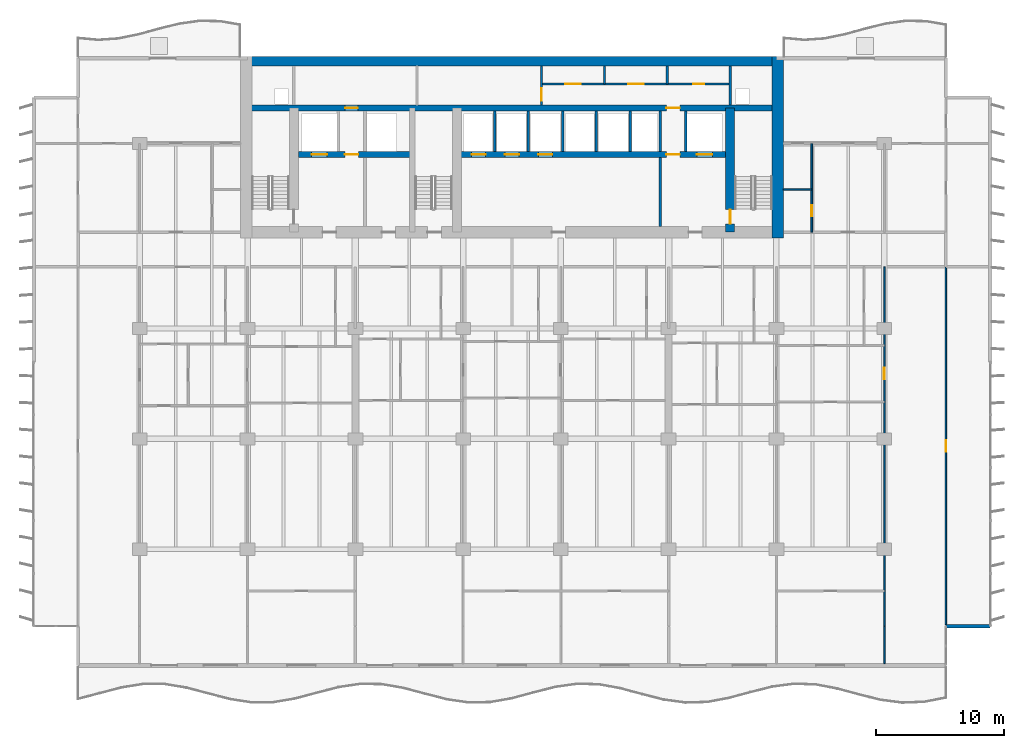
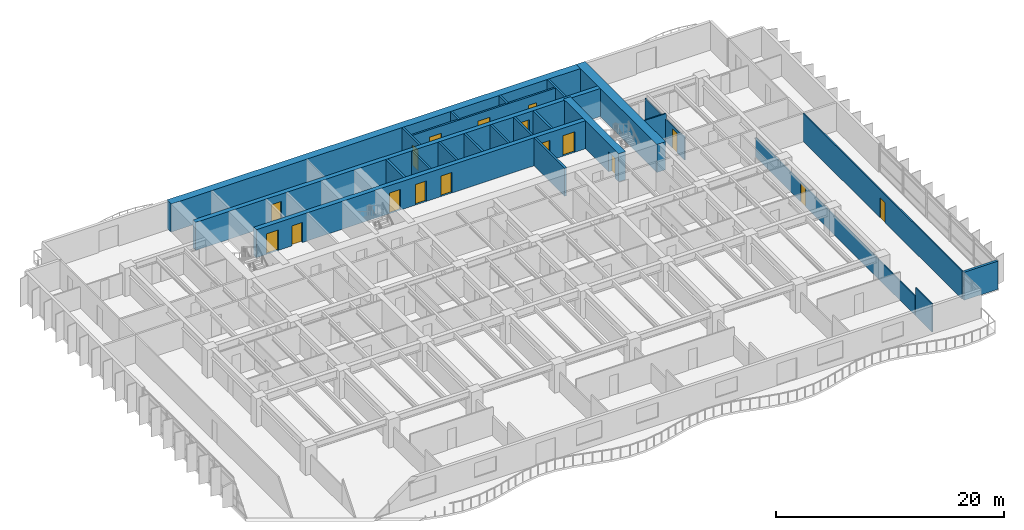
# One storey, part 10 of 15: 24 walls, 17 doors, 17 openings.
"""IFC4 building model written with IfcOpenShell, lengths in metres."""

from ifc_helpers import new_model, si_unit, direction, frame, frame_2d, origin, place, context, subcontext, project, spatial, rectangle, extrude, material, layer, layer_set, type_object, element, fill, save


model = new_model("IFC4")

# Units and contexts
model_context = context("Model", 3, precision=1e-05, world=origin(), true_north=direction((0.0, 1.0)))
body_context = subcontext(model_context, "Body", "Model", "MODEL_VIEW")
ifc_project = project(units=[si_unit("LENGTHUNIT", "METRE"), si_unit("AREAUNIT", "SQUARE_METRE"), si_unit("VOLUMEUNIT", "CUBIC_METRE"), si_unit("PLANEANGLEUNIT", "RADIAN"), si_unit("MASSUNIT", "GRAM", prefix="KILO")], contexts=[model_context])

# Site, building, storey
site_placement = place(None, origin())
site = spatial("IfcSite", under=ifc_project, at=site_placement, CompositionType="ELEMENT")
building_placement = place(site_placement, origin())
building = spatial("IfcBuilding", under=site, at=building_placement, Name="Caelmar Bay Residences", CompositionType="ELEMENT")
storey_placement = place(building_placement, frame((0.0, 0.0, 76.199951171875)))
storey = spatial("IfcBuildingStorey", under=building, at=storey_placement, Name="L20", CompositionType="ELEMENT", Elevation=76.199951171875)

# Wall, opening, door
ifc_material_1 = material(Name="Concrete f'c 55 MPa (8,000 psi)", Category="concrete")
ifc_layer_1 = layer(ifc_material_1, 0.699951171875)
ifc_layer_set_1 = layer_set([ifc_layer_1], Name="Concrete f'c 55 MPa (8,000 psi)")
wall_type_1 = type_object("IfcWallType", Name="SW-COR-700", PredefinedType="SHEAR", material=ifc_layer_set_1)
wall_1_placement = place(storey_placement, frame((55.89990234375, 36.89990234375, 0.0), z_axis=(0.0, 0.0, 1.0), x_axis=(0.0, 1.0, 0.0)))
wall_1 = element("IfcWall", 1, at=wall_1_placement, inside=storey, type_object=wall_type_1, Name="L20 Core Structural Web Wall ST2W", PredefinedType="SHEAR", context=body_context, shape_type="SweptSolid", body=[
    extrude(rectangle(XDim=9.675048828125, YDim=0.699951171875, at=frame_2d((4.83740234375, 0.0))), origin(), (0.0, 0.0, 1.0), 3.0),
])
opening_1_placement = place(wall_1_placement, frame((0.64990234375, 0.0, 0.0)))
opening_1 = element("IfcOpeningElement", 2, at=opening_1_placement, cuts=wall_1, Name="Opening D-L20-111", PredefinedType="OPENING", context=body_context, shape_type="SweptSolid", body=[
    extrude(rectangle(XDim=1.10009765625, YDim=2.14990234375, at=frame_2d((0.550048828125, 1.074951171875))), frame((0.0, 0.35986328125, 0.0), z_axis=(0.0, -1.0, 0.0), x_axis=(1.0, 0.0, 0.0)), (0.0, 0.0, 1.0), 0.719970703125),
])
ifc_material_2 = material(Name="Fire-rated steel and walnut architectural door assembly", Category="steel")
ifc_layer_2 = layer(ifc_material_2, 0.050048828125)
ifc_layer_set_2 = layer_set([ifc_layer_2], Name="Fire-rated steel and walnut architectural door assembly")
door_type_1 = type_object("IfcDoorType", Name="D-STAIR-1100", OperationType="NOTDEFINED", PredefinedType="DOOR", material=ifc_layer_set_2)
door_1_placement = place(opening_1_placement, origin())
door_1 = element("IfcDoor", 3, at=door_1_placement, inside=storey, type_object=door_type_1, Name="L20 Firefighting Lobby East Door", OperationType="SINGLE_SWING_RIGHT", OverallHeight=2.14990234375, OverallWidth=1.10009765625, PredefinedType="DOOR", context=body_context, shape_type="SweptSolid", body=[
    extrude(rectangle(XDim=1.10009765625, YDim=2.14990234375, at=frame_2d((0.550048828125, 1.074951171875))), frame((0.0, 0.02490234375, 0.0), z_axis=(0.0, -1.0, 0.0), x_axis=(1.0, 0.0, 0.0)), (0.0, 0.0, 1.0), 0.050048828125),
])
fill(opening_1, door_1)

# Walls
ifc_material_3 = material(Name="Concrete f'c 70 MPa (10,000 psi)", Category="concrete")
ifc_layer_3 = layer(ifc_material_3, 0.89990234375)
ifc_layer_set_3 = layer_set([ifc_layer_3], Name="Concrete f'c 70 MPa (10,000 psi)")
wall_type_2 = type_object("IfcWallType", Name="SW-COR-900", PredefinedType="SHEAR", material=ifc_layer_set_3)
wall_2_placement = place(storey_placement, frame((59.60009765625, 36.449951171875, 0.0), z_axis=(0.0, 0.0, 1.0), x_axis=(0.0, 1.0, 0.0)))
element("IfcWall", 4, at=wall_2_placement, inside=storey, type_object=wall_type_2, Name="L20 Rear Core East Shear Wall", PredefinedType="SHEAR", context=body_context, shape_type="SweptSolid", body=[
    extrude(rectangle(XDim=14.150146484375, YDim=0.89990234375, at=frame_2d((7.0751953125, 0.0))), origin(), (0.0, 0.0, 1.0), 3.0),
])
ifc_layer_4 = layer(ifc_material_3, 0.75)
ifc_layer_set_4 = layer_set([ifc_layer_4], Name="Concrete f'c 70 MPa (10,000 psi)")
wall_type_3 = type_object("IfcWallType", Name="SW-CORN-750", PredefinedType="SHEAR", material=ifc_layer_set_4)
wall_3_placement = place(storey_placement, frame((17.75, 50.22509765625, 0.0), z_axis=(0.0, 0.0, 1.0), x_axis=(1.0, 0.0, 0.0)))
element("IfcWall", 5, at=wall_3_placement, inside=storey, type_object=wall_type_3, Name="L20 Rear Core North Shear Wall", PredefinedType="SHEAR", context=body_context, shape_type="SweptSolid", body=[
    extrude(rectangle(XDim=42.300048828125, YDim=0.75, at=frame_2d((21.14990234375, 0.0))), origin(), (0.0, 0.0, 1.0), 3.0),
])

# Wall, openings, doors
ifc_layer_5 = layer(ifc_material_3, 0.449951171875)
ifc_layer_set_5 = layer_set([ifc_layer_5], Name="Concrete f'c 70 MPa (10,000 psi)")
wall_type_4 = type_object("IfcWallType", Name="SW-WEB-450", PredefinedType="SHEAR", material=ifc_layer_set_5)
wall_4_placement = place(storey_placement, frame((22.25, 42.949951171875, 0.0), z_axis=(0.0, 0.0, 1.0), x_axis=(1.0, 0.0, 0.0)))
wall_4 = element("IfcWall", 6, at=wall_4_placement, inside=storey, type_object=wall_type_4, Name="L20 Core Structural Web Wall LFR", PredefinedType="SHEAR", context=body_context, shape_type="SweptSolid", body=[
    extrude(rectangle(XDim=33.300048828125, YDim=0.449951171875, at=frame_2d((16.64990234375, 0.0))), origin(), (0.0, 0.0, 1.0), 3.0),
])
opening_2_placement = place(wall_4_placement, frame((1.050048828125, 0.0, 0.0)))
opening_2 = element("IfcOpeningElement", 7, at=opening_2_placement, cuts=wall_4, Name="Opening LD2", PredefinedType="OPENING", context=body_context, shape_type="SweptSolid", body=[
    extrude(rectangle(XDim=1.199951171875, YDim=2.199951171875, at=frame_2d((0.60009765625, 1.10009765625))), frame((0.0, 0.23486328125, 0.0), z_axis=(0.0, -1.0, 0.0), x_axis=(1.0, 0.0, 0.0)), (0.0, 0.0, 1.0), 0.469970703125),
])
opening_3_placement = place(wall_4_placement, frame((31.050048828125, 0.0, 0.0)))
opening_3 = element("IfcOpeningElement", 8, at=opening_3_placement, cuts=wall_4, Name="Opening LD2", PredefinedType="OPENING", context=body_context, shape_type="SweptSolid", body=[
    extrude(rectangle(XDim=1.199951171875, YDim=2.199951171875, at=frame_2d((0.60009765625, 1.10009765625))), frame((0.0, 0.23486328125, 0.0), z_axis=(0.0, -1.0, 0.0), x_axis=(1.0, 0.0, 0.0)), (0.0, 0.0, 1.0), 0.469970703125),
])
opening_4_placement = place(wall_4_placement, frame((13.5, 0.0, 0.0)))
opening_4 = element("IfcOpeningElement", 9, at=opening_4_placement, cuts=wall_4, Name="Opening LD1", PredefinedType="OPENING", context=body_context, shape_type="SweptSolid", body=[
    extrude(rectangle(XDim=1.10009765625, YDim=2.199951171875, at=frame_2d((0.550048828125, 1.10009765625))), frame((0.0, 0.23486328125, 0.0), z_axis=(0.0, -1.0, 0.0), x_axis=(1.0, 0.0, 0.0)), (0.0, 0.0, 1.0), 0.469970703125),
])
opening_5_placement = place(wall_4_placement, frame((16.10009765625, 0.0, 0.0)))
opening_5 = element("IfcOpeningElement", 10, at=opening_5_placement, cuts=wall_4, Name="Opening LD1", PredefinedType="OPENING", context=body_context, shape_type="SweptSolid", body=[
    extrude(rectangle(XDim=1.10009765625, YDim=2.199951171875, at=frame_2d((0.550048828125, 1.10009765625))), frame((0.0, 0.23486328125, 0.0), z_axis=(0.0, -1.0, 0.0), x_axis=(1.0, 0.0, 0.0)), (0.0, 0.0, 1.0), 0.469970703125),
])
opening_6_placement = place(wall_4_placement, frame((18.699951171875, 0.0, 0.0)))
opening_6 = element("IfcOpeningElement", 11, at=opening_6_placement, cuts=wall_4, Name="Opening LD1", PredefinedType="OPENING", context=body_context, shape_type="SweptSolid", body=[
    extrude(rectangle(XDim=1.10009765625, YDim=2.199951171875, at=frame_2d((0.550048828125, 1.10009765625))), frame((0.0, 0.23486328125, 0.0), z_axis=(0.0, -1.0, 0.0), x_axis=(1.0, 0.0, 0.0)), (0.0, 0.0, 1.0), 0.469970703125),
])
opening_7_placement = place(wall_4_placement, frame((3.625, 0.0, 0.0)))
opening_7 = element("IfcOpeningElement", 12, at=opening_7_placement, cuts=wall_4, Name="Opening D-L20-109", PredefinedType="OPENING", context=body_context, shape_type="SweptSolid", body=[
    extrude(rectangle(XDim=1.050048828125, YDim=2.14990234375, at=frame_2d((0.52490234375, 1.074951171875))), frame((0.0, 0.23486328125, 0.0), z_axis=(0.0, -1.0, 0.0), x_axis=(1.0, 0.0, 0.0)), (0.0, 0.0, 1.0), 0.469970703125),
])
opening_8_placement = place(wall_4_placement, frame((28.675048828125, 0.0, 0.0)))
opening_8 = element("IfcOpeningElement", 13, at=opening_8_placement, cuts=wall_4, Name="Opening D-L20-112", PredefinedType="OPENING", context=body_context, shape_type="SweptSolid", body=[
    extrude(rectangle(XDim=1.050048828125, YDim=2.14990234375, at=frame_2d((0.52490234375, 1.074951171875))), frame((0.0, 0.23486328125, 0.0), z_axis=(0.0, -1.0, 0.0), x_axis=(1.0, 0.0, 0.0)), (0.0, 0.0, 1.0), 0.469970703125),
])
ifc_layer_6 = layer(ifc_material_2, 0.050048828125)
ifc_layer_set_6 = layer_set([ifc_layer_6], Name="Fire-rated steel and walnut architectural door assembly")
door_type_2 = type_object("IfcDoorType", Name="D-FSAE-1050", OperationType="NOTDEFINED", PredefinedType="DOOR", material=ifc_layer_set_6)
door_2_placement = place(opening_7_placement, origin())
door_2 = element("IfcDoor", 14, at=door_2_placement, inside=storey, type_object=door_type_2, Name="L20 Firefighting Lobby West Door", OperationType="SINGLE_SWING_RIGHT", OverallHeight=2.14990234375, OverallWidth=1.050048828125, PredefinedType="DOOR", context=body_context, shape_type="SweptSolid", body=[
    extrude(rectangle(XDim=1.050048828125, YDim=2.14990234375, at=frame_2d((0.52490234375, 1.074951171875))), frame((0.0, 0.02490234375, 0.0), z_axis=(0.0, -1.0, 0.0), x_axis=(1.0, 0.0, 0.0)), (0.0, 0.0, 1.0), 0.050048828125),
])
fill(opening_7, door_2)
door_3_placement = place(opening_8_placement, origin())
door_3 = element("IfcDoor", 15, at=door_3_placement, inside=storey, type_object=door_type_2, Name="L20 Firefighting Lobby East Door", OperationType="SINGLE_SWING_LEFT", OverallHeight=2.14990234375, OverallWidth=1.050048828125, PredefinedType="DOOR", context=body_context, shape_type="SweptSolid", body=[
    extrude(rectangle(XDim=1.050048828125, YDim=2.14990234375, at=frame_2d((0.52490234375, 1.074951171875))), frame((0.0, 0.02490234375, 0.0), z_axis=(0.0, -1.0, 0.0), x_axis=(1.0, 0.0, 0.0)), (0.0, 0.0, 1.0), 0.050048828125),
])
fill(opening_8, door_3)
ifc_material_4 = material(Name="Brushed bronze stainless-steel fire-rated lift landing doors", Category="steel")
ifc_layer_7 = layer(ifc_material_4, 0.050048828125)
ifc_layer_set_7 = layer_set([ifc_layer_7], Name="Brushed bronze stainless-steel fire-rated lift landing doors")
door_type_3 = type_object("IfcDoorType", Name="D-LND-1100", OperationType="DOUBLE_DOOR_SLIDING", PredefinedType="DOOR", material=ifc_layer_set_7)
door_4_placement = place(opening_4_placement, origin())
door_4 = element("IfcDoor", 16, at=door_4_placement, inside=storey, type_object=door_type_3, Name="L20 LP1 Sliding Landing Door", OperationType="DOUBLE_DOOR_SLIDING", OverallHeight=2.199951171875, OverallWidth=1.10009765625, PredefinedType="DOOR", context=body_context, shape_type="SweptSolid", body=[
    extrude(rectangle(XDim=1.10009765625, YDim=2.199951171875, at=frame_2d((0.550048828125, 1.10009765625))), frame((0.0, 0.02490234375, 0.0), z_axis=(0.0, -1.0, 0.0), x_axis=(1.0, 0.0, 0.0)), (0.0, 0.0, 1.0), 0.050048828125),
])
fill(opening_4, door_4)
door_5_placement = place(opening_5_placement, origin())
door_5 = element("IfcDoor", 17, at=door_5_placement, inside=storey, type_object=door_type_3, Name="L20 LP2 Sliding Landing Door", OperationType="DOUBLE_DOOR_SLIDING", OverallHeight=2.199951171875, OverallWidth=1.10009765625, PredefinedType="DOOR", context=body_context, shape_type="SweptSolid", body=[
    extrude(rectangle(XDim=1.10009765625, YDim=2.199951171875, at=frame_2d((0.550048828125, 1.10009765625))), frame((0.0, 0.02490234375, 0.0), z_axis=(0.0, -1.0, 0.0), x_axis=(1.0, 0.0, 0.0)), (0.0, 0.0, 1.0), 0.050048828125),
])
fill(opening_5, door_5)
door_6_placement = place(opening_6_placement, origin())
door_6 = element("IfcDoor", 18, at=door_6_placement, inside=storey, type_object=door_type_3, Name="L20 LP3 Sliding Landing Door", OperationType="DOUBLE_DOOR_SLIDING", OverallHeight=2.199951171875, OverallWidth=1.10009765625, PredefinedType="DOOR", context=body_context, shape_type="SweptSolid", body=[
    extrude(rectangle(XDim=1.10009765625, YDim=2.199951171875, at=frame_2d((0.550048828125, 1.10009765625))), frame((0.0, 0.02490234375, 0.0), z_axis=(0.0, -1.0, 0.0), x_axis=(1.0, 0.0, 0.0)), (0.0, 0.0, 1.0), 0.050048828125),
])
fill(opening_6, door_6)
ifc_material_5 = material(Name="Brushed stainless-steel FSAE sliding landing door", Category="steel")
ifc_layer_8 = layer(ifc_material_5, 0.050048828125)
ifc_layer_set_8 = layer_set([ifc_layer_8], Name="Brushed stainless-steel FSAE sliding landing door")
door_type_4 = type_object("IfcDoorType", Name="D-LND-1200", OperationType="DOUBLE_DOOR_SLIDING", PredefinedType="DOOR", material=ifc_layer_set_8)
door_7_placement = place(opening_2_placement, origin())
door_7 = element("IfcDoor", 19, at=door_7_placement, inside=storey, type_object=door_type_4, Name="L20 LF1 Sliding Landing Door", OperationType="DOUBLE_DOOR_SLIDING", OverallHeight=2.199951171875, OverallWidth=1.199951171875, PredefinedType="DOOR", context=body_context, shape_type="SweptSolid", body=[
    extrude(rectangle(XDim=1.199951171875, YDim=2.199951171875, at=frame_2d((0.60009765625, 1.10009765625))), frame((0.0, 0.02490234375, 0.0), z_axis=(0.0, -1.0, 0.0), x_axis=(1.0, 0.0, 0.0)), (0.0, 0.0, 1.0), 0.050048828125),
])
fill(opening_2, door_7)
door_8_placement = place(opening_3_placement, origin())
door_8 = element("IfcDoor", 20, at=door_8_placement, inside=storey, type_object=door_type_4, Name="L20 LF2 Sliding Landing Door", OperationType="DOUBLE_DOOR_SLIDING", OverallHeight=2.199951171875, OverallWidth=1.199951171875, PredefinedType="DOOR", context=body_context, shape_type="SweptSolid", body=[
    extrude(rectangle(XDim=1.199951171875, YDim=2.199951171875, at=frame_2d((0.60009765625, 1.10009765625))), frame((0.0, 0.02490234375, 0.0), z_axis=(0.0, -1.0, 0.0), x_axis=(1.0, 0.0, 0.0)), (0.0, 0.0, 1.0), 0.050048828125),
])
fill(opening_3, door_8)

wall_5_placement = place(storey_placement, frame((18.199951171875, 46.574951171875, 0.0), z_axis=(0.0, 0.0, 1.0), x_axis=(1.0, 0.0, 0.0)))
wall_5 = element("IfcWall", 21, at=wall_5_placement, inside=storey, type_object=wall_type_4, Name="L20 Core Structural Web Wall SRVS", PredefinedType="SHEAR", context=body_context, shape_type="SweptSolid", body=[
    extrude(rectangle(XDim=41.400146484375, YDim=0.449951171875, at=frame_2d((20.7001953125, 0.0))), origin(), (0.0, 0.0, 1.0), 3.0),
])
opening_9_placement = place(wall_5_placement, frame((7.699951171875, 0.0, 0.0)))
opening_9 = element("IfcOpeningElement", 22, at=opening_9_placement, cuts=wall_5, Name="Opening D-L20-115", PredefinedType="OPENING", context=body_context, shape_type="SweptSolid", body=[
    extrude(rectangle(XDim=1.0, YDim=2.199951171875, at=frame_2d((0.5, 1.10009765625))), frame((0.0, 0.23486328125, 0.0), z_axis=(0.0, -1.0, 0.0), x_axis=(1.0, 0.0, 0.0)), (0.0, 0.0, 1.0), 0.469970703125),
])
opening_10_placement = place(wall_5_placement, frame((32.72509765625, 0.0, 0.0)))
opening_10 = element("IfcOpeningElement", 23, at=opening_10_placement, cuts=wall_5, Name="Opening D-L20-116", PredefinedType="OPENING", context=body_context, shape_type="SweptSolid", body=[
    extrude(rectangle(XDim=1.050048828125, YDim=2.14990234375, at=frame_2d((0.52490234375, 1.074951171875))), frame((0.0, 0.23486328125, 0.0), z_axis=(0.0, -1.0, 0.0), x_axis=(1.0, 0.0, 0.0)), (0.0, 0.0, 1.0), 0.469970703125),
])
door_9_placement = place(opening_10_placement, origin())
door_9 = element("IfcDoor", 24, at=door_9_placement, inside=storey, type_object=door_type_2, Name="L20 East Core Service Corridor Door", OperationType="SINGLE_SWING_LEFT", OverallHeight=2.14990234375, OverallWidth=1.050048828125, PredefinedType="DOOR", context=body_context, shape_type="SweptSolid", body=[
    extrude(rectangle(XDim=1.050048828125, YDim=2.14990234375, at=frame_2d((0.52490234375, 1.074951171875))), frame((0.0, 0.02490234375, 0.0), z_axis=(0.0, -1.0, 0.0), x_axis=(1.0, 0.0, 0.0)), (0.0, 0.0, 1.0), 0.050048828125),
])
fill(opening_10, door_9)
ifc_layer_9 = layer(ifc_material_2, 0.050048828125)
ifc_layer_set_9 = layer_set([ifc_layer_9], Name="Fire-rated steel and walnut architectural door assembly")
door_type_5 = type_object("IfcDoorType", Name="D-UNIT-1000", OperationType="NOTDEFINED", PredefinedType="DOOR", material=ifc_layer_set_9)
door_10_placement = place(opening_9_placement, origin())
door_10 = element("IfcDoor", 25, at=door_10_placement, inside=storey, type_object=door_type_5, Name="L20 Package Concierge Office Door", OperationType="SINGLE_SWING_RIGHT", OverallHeight=2.199951171875, OverallWidth=1.0, PredefinedType="DOOR", context=body_context, shape_type="SweptSolid", body=[
    extrude(rectangle(XDim=1.0, YDim=2.199951171875, at=frame_2d((0.5, 1.10009765625))), frame((0.0, 0.02490234375, 0.0), z_axis=(0.0, -1.0, 0.0), x_axis=(1.0, 0.0, 0.0)), (0.0, 0.0, 1.0), 0.050048828125),
])
fill(opening_9, door_10)

# Wall, opening, door
ifc_material_6 = material(Name="Double-stud acoustic fire-rated gypsum partition 180 mm")
ifc_layer_10 = layer(ifc_material_6, 0.179931640625)
ifc_layer_set_10 = layer_set([ifc_layer_10], Name="Double-stud acoustic fire-rated gypsum partition 180 mm")
wall_type_5 = type_object("IfcWallType", Name="W-COR-200", PredefinedType="PARTITIONING", material=ifc_layer_set_10)
wall_6_placement = place(storey_placement, frame((41.199951171875, 46.794921875, 0.0), z_axis=(0.0, 0.0, 1.0), x_axis=(0.0, 1.0, 0.0)))
wall_6 = element("IfcWall", 26, at=wall_6_placement, inside=storey, type_object=wall_type_5, Name="L20 Partition Wall V028", PredefinedType="PARTITIONING", context=body_context, shape_type="SweptSolid", body=[
    extrude(rectangle(XDim=3.06005859375, YDim=0.179931640625, at=frame_2d((1.530029296875, 0.0))), origin(), (0.0, 0.0, 1.0), 3.0),
])
opening_11_placement = place(wall_6_placement, frame((0.327392578125, 0.0, 0.0)))
opening_11 = element("IfcOpeningElement", 27, at=opening_11_placement, cuts=wall_6, Name="Opening D-L20-117", PredefinedType="OPENING", context=body_context, shape_type="SweptSolid", body=[
    extrude(rectangle(XDim=1.0, YDim=2.199951171875, at=frame_2d((0.5, 1.10009765625))), frame((0.0, 0.099853515625, 0.0), z_axis=(0.0, -1.0, 0.0), x_axis=(1.0, 0.0, 0.0)), (0.0, 0.0, 1.0), 0.199951171875),
])
door_11_placement = place(opening_11_placement, origin())
door_11 = element("IfcDoor", 28, at=door_11_placement, inside=storey, type_object=door_type_5, Name="L20 Engineering Control Office Door", OperationType="SINGLE_SWING_RIGHT", OverallHeight=2.199951171875, OverallWidth=1.0, PredefinedType="DOOR", context=body_context, shape_type="SweptSolid", body=[
    extrude(rectangle(XDim=1.0, YDim=2.199951171875, at=frame_2d((0.5, 1.10009765625))), frame((0.0, 0.02490234375, 0.0), z_axis=(0.0, -1.0, 0.0), x_axis=(1.0, 0.0, 0.0)), (0.0, 0.0, 1.0), 0.050048828125),
])
fill(opening_11, door_11)

# Walls
for number, where, z_axis, x_axis, name in (
    (29, (46.10009765625, 48.449951171875, 0.0), (0.0, 0.0, 1.0), (0.0, 1.0, 0.0), "L20 Partition Wall V033"),
    (30, (51.0, 48.449951171875, 0.0), (0.0, 0.0, 1.0), (0.0, 1.0, 0.0), "L20 Partition Wall V038"),
):
    element("IfcWall", number, at=place(storey_placement, frame(where, z_axis=z_axis, x_axis=x_axis)), inside=storey, type_object=wall_type_5, Name=name, PredefinedType="PARTITIONING", context=body_context, shape_type="SweptSolid", body=[
        extrude(rectangle(XDim=1.405029296875, YDim=0.179931640625, at=frame_2d((0.70263671875, 0.0))), origin(), (0.0, 0.0, 1.0), 3.0),
    ])

# Wall, openings, doors
wall_7_placement = place(storey_placement, frame((41.199951171875, 48.449951171875, 0.0), z_axis=(0.0, 0.0, 1.0), x_axis=(1.0, 0.0, 0.0)))
wall_7 = element("IfcWall", 31, at=wall_7_placement, inside=storey, type_object=wall_type_5, Name="L20 Partition Wall H082", PredefinedType="PARTITIONING", context=body_context, shape_type="SweptSolid", body=[
    extrude(rectangle(XDim=14.699951171875, YDim=0.179931640625, at=frame_2d((7.35009765625, 0.0))), origin(), (0.0, 0.0, 1.0), 3.0),
])
opening_12_placement = place(wall_7_placement, frame((1.85009765625, 0.0, 0.0)))
opening_12 = element("IfcOpeningElement", 32, at=opening_12_placement, cuts=wall_7, Name="Opening D-L20-118", PredefinedType="OPENING", context=body_context, shape_type="SweptSolid", body=[
    extrude(rectangle(XDim=1.199951171875, YDim=2.199951171875, at=frame_2d((0.60009765625, 1.10009765625))), frame((0.0, 0.099853515625, 0.0), z_axis=(0.0, -1.0, 0.0), x_axis=(1.0, 0.0, 0.0)), (0.0, 0.0, 1.0), 0.199951171875),
])
opening_13_placement = place(wall_7_placement, frame((6.75, 0.0, 0.0)))
opening_13 = element("IfcOpeningElement", 33, at=opening_13_placement, cuts=wall_7, Name="Opening D-L20-119", PredefinedType="OPENING", context=body_context, shape_type="SweptSolid", body=[
    extrude(rectangle(XDim=1.199951171875, YDim=2.199951171875, at=frame_2d((0.60009765625, 1.10009765625))), frame((0.0, 0.099853515625, 0.0), z_axis=(0.0, -1.0, 0.0), x_axis=(1.0, 0.0, 0.0)), (0.0, 0.0, 1.0), 0.199951171875),
])
opening_14_placement = place(wall_7_placement, frame((11.824951171875, 0.0, 0.0)))
opening_14 = element("IfcOpeningElement", 34, at=opening_14_placement, cuts=wall_7, Name="Opening D-L20-120", PredefinedType="OPENING", context=body_context, shape_type="SweptSolid", body=[
    extrude(rectangle(XDim=0.85009765625, YDim=2.10009765625, at=frame_2d((0.425048828125, 1.050048828125))), frame((0.0, 0.099853515625, 0.0), z_axis=(0.0, -1.0, 0.0), x_axis=(1.0, 0.0, 0.0)), (0.0, 0.0, 1.0), 0.199951171875),
])
ifc_layer_11 = layer(ifc_material_2, 0.050048828125)
ifc_layer_set_11 = layer_set([ifc_layer_11], Name="Fire-rated steel and walnut architectural door assembly")
door_type_6 = type_object("IfcDoorType", Name="D-CORE-850", OperationType="NOTDEFINED", PredefinedType="DOOR", material=ifc_layer_set_11)
door_12_placement = place(opening_14_placement, origin())
door_12 = element("IfcDoor", 35, at=door_12_placement, inside=storey, type_object=door_type_6, Name="L20 Accessible Staff WC Door", OperationType="SINGLE_SWING_LEFT", OverallHeight=2.10009765625, OverallWidth=0.85009765625, PredefinedType="DOOR", context=body_context, shape_type="SweptSolid", body=[
    extrude(rectangle(XDim=0.85009765625, YDim=2.10009765625, at=frame_2d((0.425048828125, 1.050048828125))), frame((0.0, 0.02490234375, 0.0), z_axis=(0.0, -1.0, 0.0), x_axis=(1.0, 0.0, 0.0)), (0.0, 0.0, 1.0), 0.050048828125),
])
fill(opening_14, door_12)
ifc_layer_12 = layer(ifc_material_2, 0.050048828125)
ifc_layer_set_12 = layer_set([ifc_layer_12], Name="Fire-rated steel and walnut architectural door assembly")
door_type_7 = type_object("IfcDoorType", Name="D-PLANT-1200", OperationType="NOTDEFINED", PredefinedType="DOOR", material=ifc_layer_set_12)
door_13_placement = place(opening_12_placement, origin())
door_13 = element("IfcDoor", 36, at=door_13_placement, inside=storey, type_object=door_type_7, Name="L20 Electrical Closet Door", OperationType="SINGLE_SWING_LEFT", OverallHeight=2.199951171875, OverallWidth=1.199951171875, PredefinedType="DOOR", context=body_context, shape_type="SweptSolid", body=[
    extrude(rectangle(XDim=1.199951171875, YDim=2.199951171875, at=frame_2d((0.60009765625, 1.10009765625))), frame((0.0, 0.02490234375, 0.0), z_axis=(0.0, -1.0, 0.0), x_axis=(1.0, 0.0, 0.0)), (0.0, 0.0, 1.0), 0.050048828125),
])
fill(opening_12, door_13)
door_14_placement = place(opening_13_placement, origin())
door_14 = element("IfcDoor", 37, at=door_14_placement, inside=storey, type_object=door_type_7, Name="L20 Housekeeping Linen Closet Door", OperationType="SINGLE_SWING_RIGHT", OverallHeight=2.199951171875, OverallWidth=1.199951171875, PredefinedType="DOOR", context=body_context, shape_type="SweptSolid", body=[
    extrude(rectangle(XDim=1.199951171875, YDim=2.199951171875, at=frame_2d((0.60009765625, 1.10009765625))), frame((0.0, 0.02490234375, 0.0), z_axis=(0.0, -1.0, 0.0), x_axis=(1.0, 0.0, 0.0)), (0.0, 0.0, 1.0), 0.050048828125),
])
fill(opening_13, door_14)

# Walls
ifc_material_7 = material(Name="Precast concrete f'c 40 MPa (6,000 psi)", Category="concrete")
ifc_layer_13 = layer(ifc_material_7, 0.25)
ifc_layer_set_13 = layer_set([ifc_layer_13], Name="Precast concrete f'c 40 MPa (6,000 psi)")
wall_type_6 = type_object("IfcWallType", Name="W-EXT-250", PredefinedType="ELEMENTEDWALL", material=ifc_layer_set_13)
wall_8_placement = place(storey_placement, frame((72.699951171875, 6.199951171875, 0.0), z_axis=(0.0, 0.0, 1.0), x_axis=(1.0, 0.0, 0.0)))
element("IfcWall", 38, at=wall_8_placement, inside=storey, type_object=wall_type_6, Name="L20 SE Notch Return Wall", PredefinedType="ELEMENTEDWALL", context=body_context, shape_type="SweptSolid", body=[
    extrude(rectangle(XDim=3.449951171875, YDim=0.25, at=frame_2d((1.72509765625, 0.0))), origin(), (0.0, 0.0, 1.0), 3.0),
])
ifc_material_8 = material(Name="Fire-rated masonry and gypsum shaftliner assembly 200 mm", Category="masonry")
ifc_layer_14 = layer(ifc_material_8, 0.199951171875)
ifc_layer_set_14 = layer_set([ifc_layer_14], Name="Fire-rated masonry and gypsum shaftliner assembly 200 mm")
wall_type_7 = type_object("IfcWallType", Name="W-FSAE-200", PredefinedType="PARTITIONING", material=ifc_layer_set_14)
for number, where, z_axis, x_axis, name in (
    (39, (37.550048828125, 43.169921875, 0.0), (0.0, 0.0, 1.0), (0.0, 1.0, 0.0), "L20 Partition Wall V025"),
    (40, (40.14990234375, 43.169921875, 0.0), (0.0, 0.0, 1.0), (0.0, 1.0, 0.0), "L20 Partition Wall V026"),
    (41, (42.85009765625, 43.169921875, 0.0), (0.0, 0.0, 1.0), (0.0, 1.0, 0.0), "L20 Partition Wall V031"),
    (42, (45.449951171875, 43.169921875, 0.0), (0.0, 0.0, 1.0), (0.0, 1.0, 0.0), "L20 Partition Wall V032"),
    (43, (48.10009765625, 43.169921875, 0.0), (0.0, 0.0, 1.0), (0.0, 1.0, 0.0), "L20 Partition Wall V034"),
):
    element("IfcWall", number, at=place(storey_placement, frame(where, z_axis=z_axis, x_axis=x_axis)), inside=storey, type_object=wall_type_7, Name=name, PredefinedType="PARTITIONING", context=body_context, shape_type="SweptSolid", body=[
        extrude(rectangle(XDim=3.18505859375, YDim=0.199951171875, at=frame_2d((1.592529296875, 0.0))), origin(), (0.0, 0.0, 1.0), 3.0),
    ])
wall_9_placement = place(storey_placement, frame((50.449951171875, 37.344970703125, 0.0), z_axis=(0.0, 0.0, 1.0), x_axis=(0.0, 1.0, 0.0)))
element("IfcWall", 44, at=wall_9_placement, inside=storey, type_object=wall_type_7, Name="L20 Partition Wall V036", PredefinedType="PARTITIONING", context=body_context, shape_type="SweptSolid", body=[
    extrude(rectangle(XDim=5.385009765625, YDim=0.199951171875, at=frame_2d((2.6923828125, 0.0))), origin(), (0.0, 0.0, 1.0), 3.0),
])
for number, where, z_axis, x_axis, name in (
    (45, (50.449951171875, 43.169921875, 0.0), (0.0, 0.0, 1.0), (0.0, 1.0, 0.0), "L20 Partition Wall V037"),
    (46, (52.449951171875, 43.169921875, 0.0), (0.0, 0.0, 1.0), (0.0, 1.0, 0.0), "L20 Partition Wall V042"),
):
    element("IfcWall", number, at=place(storey_placement, frame(where, z_axis=z_axis, x_axis=x_axis)), inside=storey, type_object=wall_type_7, Name=name, PredefinedType="PARTITIONING", context=body_context, shape_type="SweptSolid", body=[
        extrude(rectangle(XDim=3.18505859375, YDim=0.199951171875, at=frame_2d((1.592529296875, 0.0))), origin(), (0.0, 0.0, 1.0), 3.0),
    ])
wall_10_placement = place(storey_placement, frame((55.89990234375, 46.794921875, 0.0), z_axis=(0.0, 0.0, 1.0), x_axis=(0.0, 1.0, 0.0)))
element("IfcWall", 47, at=wall_10_placement, inside=storey, type_object=wall_type_7, Name="L20 Partition Wall V044", PredefinedType="PARTITIONING", context=body_context, shape_type="SweptSolid", body=[
    extrude(rectangle(XDim=3.06005859375, YDim=0.199951171875, at=frame_2d((1.530029296875, 0.0))), origin(), (0.0, 0.0, 1.0), 3.0),
])

# Wall, opening, door
ifc_material_9 = material(Name="Acoustic metal-stud gypsum partition 120 mm")
ifc_layer_15 = layer(ifc_material_9, 0.1201171875)
ifc_layer_set_15 = layer_set([ifc_layer_15], Name="Acoustic metal-stud gypsum partition 120 mm")
wall_type_8 = type_object("IfcWallType", Name="W-PRT-120", PredefinedType="PARTITIONING", material=ifc_layer_set_15)
wall_11_placement = place(storey_placement, frame((62.25, 36.89990234375, 0.0), z_axis=(0.0, 0.0, 1.0), x_axis=(0.0, 1.0, 0.0)))
wall_11 = element("IfcWall", 48, at=wall_11_placement, inside=storey, type_object=wall_type_8, Name="L20 Partition Wall V048", PredefinedType="PARTITIONING", context=body_context, shape_type="SweptSolid", body=[
    extrude(rectangle(XDim=6.900146484375, YDim=0.1201171875, at=frame_2d((3.4501953125, 0.0))), origin(), (0.0, 0.0, 1.0), 2.43603515625),
])
opening_15_placement = place(wall_11_placement, frame((1.23095703125, 0.0, 0.0)))
opening_15 = element("IfcOpeningElement", 49, at=opening_15_placement, cuts=wall_11, Name="Opening D-L20-170", PredefinedType="OPENING", context=body_context, shape_type="SweptSolid", body=[
    extrude(rectangle(XDim=0.85009765625, YDim=2.10009765625, at=frame_2d((0.425048828125, 1.050048828125))), frame((0.0, 0.070068359375, 0.0), z_axis=(0.0, -1.0, 0.0), x_axis=(1.0, 0.0, 0.0)), (0.0, 0.0, 1.0), 0.14013671875),
])
ifc_material_10 = material(Name="Solid walnut timber interior door leaf and frame", Category="wood")
ifc_layer_16 = layer(ifc_material_10, 0.050048828125)
ifc_layer_set_16 = layer_set([ifc_layer_16], Name="Solid walnut timber interior door leaf and frame")
door_type_8 = type_object("IfcDoorType", Name="D-BATH-850", OperationType="NOTDEFINED", PredefinedType="DOOR", material=ifc_layer_set_16)
door_15_placement = place(opening_15_placement, origin())
door_15 = element("IfcDoor", 50, at=door_15_placement, inside=storey, type_object=door_type_8, Name="L20 Residence EA Walk-In Closet Door", OperationType="SINGLE_SWING_LEFT", OverallHeight=2.10009765625, OverallWidth=0.85009765625, PredefinedType="DOOR", context=body_context, shape_type="SweptSolid", body=[
    extrude(rectangle(XDim=0.85009765625, YDim=2.10009765625, at=frame_2d((0.425048828125, 1.050048828125))), frame((0.0, 0.02490234375, 0.0), z_axis=(0.0, -1.0, 0.0), x_axis=(1.0, 0.0, 0.0)), (0.0, 0.0, 1.0), 0.050048828125),
])
fill(opening_15, door_15)

# Wall
wall_12_placement = place(storey_placement, frame((67.89990234375, 3.294921875, 0.0), z_axis=(0.0, 0.0, 1.0), x_axis=(0.0, 1.0, 0.0)))
element("IfcWall", 51, at=wall_12_placement, inside=storey, type_object=wall_type_8, Name="L20 Partition Wall V050", PredefinedType="PARTITIONING", context=body_context, shape_type="SweptSolid", body=[
    extrude(rectangle(XDim=2.905029296875, YDim=0.1201171875, at=frame_2d((1.45263671875, 0.0))), origin(), (0.0, 0.0, 1.0), 3.0),
])

# Wall, opening, door
wall_13_placement = place(storey_placement, frame((67.89990234375, 6.239990234375, 0.0), z_axis=(0.0, 0.0, 1.0), x_axis=(0.0, 1.0, 0.0)))
wall_13 = element("IfcWall", 52, at=wall_13_placement, inside=storey, type_object=wall_type_8, Name="L20 Partition Wall V051", PredefinedType="PARTITIONING", context=body_context, shape_type="SweptSolid", body=[
    extrude(rectangle(XDim=27.9599609375, YDim=0.1201171875, at=frame_2d((13.97998046875, 0.0))), origin(), (0.0, 0.0, 1.0), 2.06005859375),
])
opening_16_placement = place(wall_13_placement, frame((19.18994140625, 0.0, 0.0)))
opening_16 = element("IfcOpeningElement", 53, at=opening_16_placement, cuts=wall_13, Name="Opening D-L20-157", PredefinedType="OPENING", context=body_context, shape_type="SweptSolid", body=[
    extrude(rectangle(XDim=0.89990234375, YDim=2.010009765625, at=frame_2d((0.449951171875, 1.0048828125))), frame((0.0, 0.070068359375, 0.0), z_axis=(0.0, -1.0, 0.0), x_axis=(1.0, 0.0, 0.0)), (0.0, 0.0, 1.0), 0.14013671875),
])
ifc_layer_17 = layer(ifc_material_10, 0.050048828125)
ifc_layer_set_17 = layer_set([ifc_layer_17], Name="Solid walnut timber interior door leaf and frame")
door_type_9 = type_object("IfcDoorType", Name="D-ROOM-900", OperationType="NOTDEFINED", PredefinedType="DOOR", material=ifc_layer_set_17)
door_16_placement = place(opening_16_placement, origin())
door_16 = element("IfcDoor", 54, at=door_16_placement, inside=storey, type_object=door_type_9, Name="L20 Residence 03 East Apartment Hall Door", OperationType="SINGLE_SWING_RIGHT", OverallHeight=2.010009765625, OverallWidth=0.89990234375, PredefinedType="DOOR", context=body_context, shape_type="SweptSolid", body=[
    extrude(rectangle(XDim=0.89990234375, YDim=2.010009765625, at=frame_2d((0.449951171875, 1.0048828125))), frame((0.0, 0.02490234375, 0.0), z_axis=(0.0, -1.0, 0.0), x_axis=(1.0, 0.0, 0.0)), (0.0, 0.0, 1.0), 0.050048828125),
])
fill(opening_16, door_16)

wall_14_placement = place(storey_placement, frame((72.699951171875, 6.320068359375, 0.0), z_axis=(0.0, 0.0, 1.0), x_axis=(0.0, 1.0, 0.0)))
wall_14 = element("IfcWall", 55, at=wall_14_placement, inside=storey, type_object=wall_type_8, Name="L20 Partition Wall V053", PredefinedType="PARTITIONING", context=body_context, shape_type="SweptSolid", body=[
    extrude(rectangle(XDim=27.8798828125, YDim=0.1201171875, at=frame_2d((13.93994140625, 0.0))), origin(), (0.0, 0.0, 1.0), 3.0),
])
opening_17_placement = place(wall_14_placement, frame((13.489990234375, 0.0, 0.0)))
opening_17 = element("IfcOpeningElement", 56, at=opening_17_placement, cuts=wall_14, Name="Opening D-L20-159", PredefinedType="OPENING", context=body_context, shape_type="SweptSolid", body=[
    extrude(rectangle(XDim=0.89990234375, YDim=2.14990234375, at=frame_2d((0.449951171875, 1.074951171875))), frame((0.0, 0.070068359375, 0.0), z_axis=(0.0, -1.0, 0.0), x_axis=(1.0, 0.0, 0.0)), (0.0, 0.0, 1.0), 0.14013671875),
])
door_17_placement = place(opening_17_placement, origin())
door_17 = element("IfcDoor", 57, at=door_17_placement, inside=storey, type_object=door_type_9, Name="L20 Residence 03 Penthouse East Salon Door", OperationType="SINGLE_SWING_RIGHT", OverallHeight=2.14990234375, OverallWidth=0.89990234375, PredefinedType="DOOR", context=body_context, shape_type="SweptSolid", body=[
    extrude(rectangle(XDim=0.89990234375, YDim=2.14990234375, at=frame_2d((0.449951171875, 1.074951171875))), frame((0.0, 0.02490234375, 0.0), z_axis=(0.0, -1.0, 0.0), x_axis=(1.0, 0.0, 0.0)), (0.0, 0.0, 1.0), 0.050048828125),
])
fill(opening_17, door_17)

# Wall
wall_15_placement = place(storey_placement, frame((60.044921875, 40.2119140625, 0.0), z_axis=(0.0, 0.0, 1.0), x_axis=(1.0, 0.0, 0.0)))
element("IfcWall", 58, at=wall_15_placement, inside=storey, type_object=wall_type_8, Name="L20 Partition Wall H079", PredefinedType="PARTITIONING", context=body_context, shape_type="SweptSolid", body=[
    extrude(rectangle(XDim=2.205078125, YDim=0.1201171875, at=frame_2d((1.1025390625, 0.0))), origin(), (0.0, 0.0, 1.0), 3.0),
])

save(model, "model.ifc")
